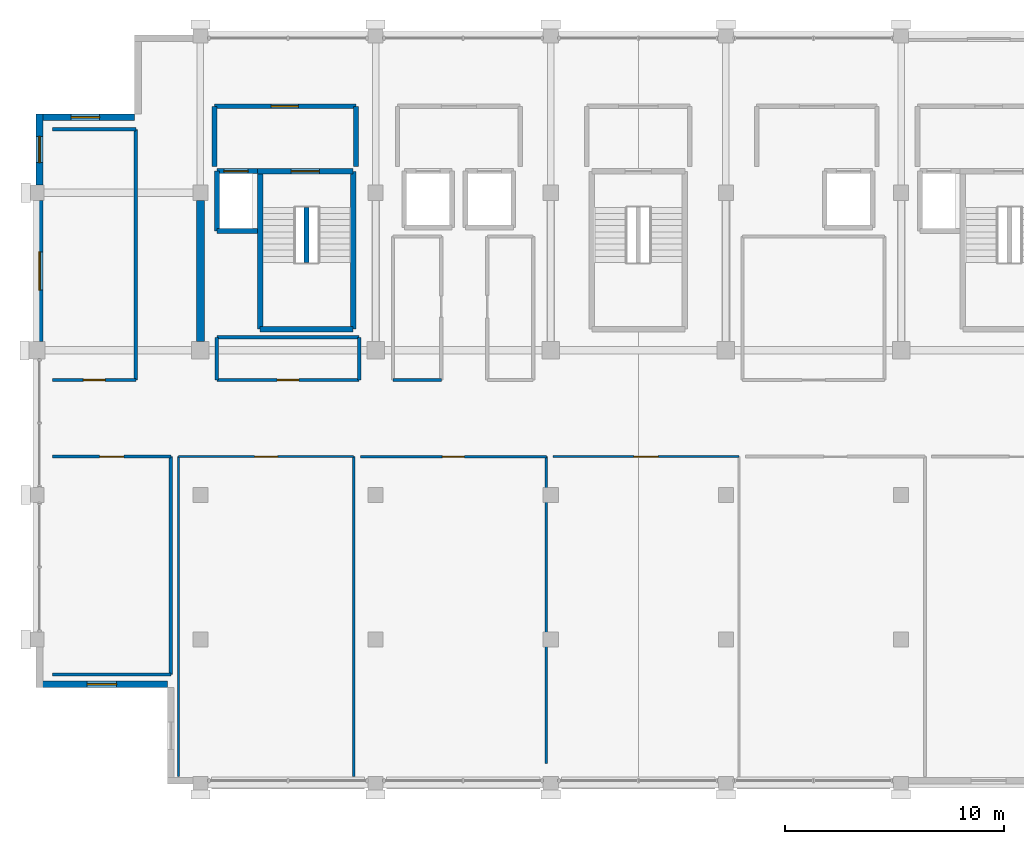
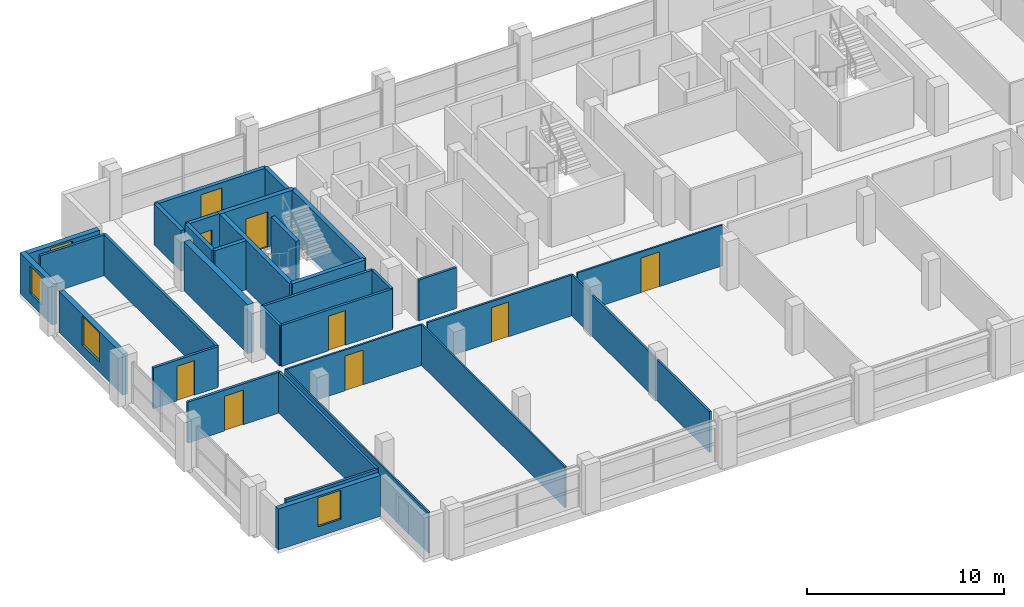
# One storey, part 20 of 24: 33 walls, 9 doors, 4 windows, 13 openings.
"""IFC4 building model written with IfcOpenShell, lengths in metres."""

from ifc_helpers import new_model, si_unit, direction, frame, frame_2d, origin, place, context, subcontext, project, spatial, rectangle, extrude, material, layer, layer_set, type_object, element, fill, save


model = new_model("IFC4")

# Units and contexts
model_context = context("Model", 3, precision=1e-05, world=origin(), true_north=direction((0.0, 1.0)))
body_context = subcontext(model_context, "Body", "Model", "MODEL_VIEW")
ifc_project = project(units=[si_unit("LENGTHUNIT", "METRE"), si_unit("AREAUNIT", "SQUARE_METRE"), si_unit("VOLUMEUNIT", "CUBIC_METRE"), si_unit("PLANEANGLEUNIT", "RADIAN"), si_unit("MASSUNIT", "GRAM", prefix="KILO")], contexts=[model_context])

# Site, building, storey
site_placement = place(None, origin())
site = spatial("IfcSite", under=ifc_project, at=site_placement, CompositionType="ELEMENT")
building_placement = place(site_placement, origin())
building = spatial("IfcBuilding", under=site, at=building_placement, Name="Akrevak Sports Hall", CompositionType="ELEMENT")
storey_placement = place(building_placement, frame((0.0, 0.0, 56.800048828125)))
storey = spatial("IfcBuildingStorey", under=building, at=storey_placement, Name="L14", CompositionType="ELEMENT", Elevation=56.800048828125)

# Wall, opening, window
ifc_material_1 = material(Name="Limestone Ashlar", Category="stone")
ifc_layer_1 = layer(ifc_material_1, 0.06005859375, Name="Limestone Ashlar")
ifc_material_2 = material(Name="Mineral Wool Thermal Insulation", Category="insulation")
ifc_layer_2 = layer(ifc_material_2, 0.090087890625, Name="Mineral Wool Thermal Insulation")
ifc_material_3 = material(Name="Concrete C40/50", Category="concrete")
ifc_layer_3 = layer(ifc_material_3, 0.14990234375, Name="Concrete C40/50")
ifc_layer_set_1 = layer_set([ifc_layer_1, ifc_layer_2, ifc_layer_3], Name="Limestone Ashlar / Mineral Wool Thermal Insulation / Concrete C40/50")
wall_type_1 = type_object("IfcWallType", Name="ARC-WL-EXT-300", PredefinedType="SOLIDWALL", material=ifc_layer_set_1)
wall_1_placement = place(storey_placement, frame((57.0, 65.85009765625, 0.0), z_axis=(0.0, 0.0, 1.0), x_axis=(-1.0, 0.0, 0.0)))
wall_1 = element("IfcWall", 1, at=wall_1_placement, inside=storey, type_object=wall_type_1, Name="Tower Stone Facade Wall L14-N25", PredefinedType="SOLIDWALL", context=body_context, shape_type="SweptSolid", body=[
    extrude(rectangle(XDim=4.5, YDim=0.300048828125, at=frame_2d((2.25, 0.0))), origin(), (0.0, 0.0, 1.0), 2.530029296875),
])
opening_1_placement = place(wall_1_placement, frame((1.60009765625, 0.0, 0.6201171875)))
opening_1 = element("IfcOpeningElement", 2, at=opening_1_placement, cuts=wall_1, Name="Opening WN-12", PredefinedType="OPENING", context=body_context, shape_type="SweptSolid", body=[
    extrude(rectangle(XDim=1.300048828125, YDim=1.800048828125, at=frame_2d((0.64990234375, 0.89990234375))), frame((0.0, 0.162109375, 0.0), z_axis=(0.0, -1.0, 0.0), x_axis=(1.0, 0.0, 0.0)), (0.0, 0.0, 1.0), 0.323974609375),
])
ifc_material_4 = material(Name="Thermally Broken Bronze Frame & Double Low-E Glass", Category="glass")
window_type_1 = type_object("IfcWindowType", Name="ARC-WIN-TW-130x180", PartitioningType="SINGLE_PANEL", PredefinedType="WINDOW", material=ifc_material_4)
window_1_placement = place(opening_1_placement, origin())
window_1 = element("IfcWindow", 3, at=window_1_placement, inside=storey, type_object=window_type_1, Name="Tower Window L14-N25", OverallHeight=1.800048828125, OverallWidth=1.300048828125, PartitioningType="SINGLE_PANEL", PredefinedType="WINDOW", context=body_context, shape_type="SweptSolid", body=[
    extrude(rectangle(XDim=1.300048828125, YDim=1.800048828125, at=frame_2d((0.64990234375, 0.89990234375))), frame((0.0, 0.030029296875, 0.0), z_axis=(0.0, -1.0, 0.0), x_axis=(1.0, 0.0, 0.0)), (0.0, 0.0, 1.0), 0.06005859375),
])
fill(opening_1, window_1)

wall_2_placement = place(storey_placement, frame((52.64990234375, 66.0, 0.0), z_axis=(0.0, 0.0, 1.0), x_axis=(0.0, -1.0, 0.0)))
wall_2 = element("IfcWall", 4, at=wall_2_placement, inside=storey, type_object=wall_type_1, Name="Tower Stone Facade Wall L14-W26", PredefinedType="SOLIDWALL", context=body_context, shape_type="SweptSolid", body=[
    extrude(rectangle(XDim=3.25, YDim=0.300048828125, at=frame_2d((1.625, 0.0))), origin(), (0.0, 0.0, 1.0), 2.530029296875),
])
opening_2_placement = place(wall_2_placement, frame((1.02490234375, 0.0, 0.6201171875)))
opening_2 = element("IfcOpeningElement", 5, at=opening_2_placement, cuts=wall_2, Name="Opening WN-13", PredefinedType="OPENING", context=body_context, shape_type="SweptSolid", body=[
    extrude(rectangle(XDim=1.199951171875, YDim=1.699951171875, at=frame_2d((0.60009765625, 0.85009765625))), frame((0.0, 0.162109375, 0.0), z_axis=(0.0, -1.0, 0.0), x_axis=(1.0, 0.0, 0.0)), (0.0, 0.0, 1.0), 0.323974609375),
])
window_type_2 = type_object("IfcWindowType", Name="ARC-WIN-TW-120x170", PartitioningType="SINGLE_PANEL", PredefinedType="WINDOW", material=ifc_material_4)
window_2_placement = place(opening_2_placement, origin())
window_2 = element("IfcWindow", 6, at=window_2_placement, inside=storey, type_object=window_type_2, Name="Tower Window L14-W26", OverallHeight=1.699951171875, OverallWidth=1.199951171875, PartitioningType="SINGLE_PANEL", PredefinedType="WINDOW", context=body_context, shape_type="SweptSolid", body=[
    extrude(rectangle(XDim=1.199951171875, YDim=1.699951171875, at=frame_2d((0.60009765625, 0.85009765625))), frame((0.0, 0.030029296875, 0.0), z_axis=(0.0, -1.0, 0.0), x_axis=(1.0, 0.0, 0.0)), (0.0, 0.0, 1.0), 0.06005859375),
])
fill(opening_2, window_2)

wall_3_placement = place(storey_placement, frame((52.64990234375, 62.050048828125, 0.0), z_axis=(0.0, 0.0, 1.0), x_axis=(0.0, -1.0, 0.0)))
wall_3 = element("IfcWall", 7, at=wall_3_placement, inside=storey, type_object=wall_type_1, Name="Tower Stone Facade Wall L14-W27", PredefinedType="SOLIDWALL", context=body_context, shape_type="SweptSolid", body=[
    extrude(rectangle(XDim=6.449951171875, YDim=0.300048828125, at=frame_2d((3.22509765625, 0.0))), origin(), (0.0, 0.0, 1.0), 2.530029296875),
])
opening_3_placement = place(wall_3_placement, frame((2.35009765625, 0.0, 0.6201171875)))
opening_3 = element("IfcOpeningElement", 8, at=opening_3_placement, cuts=wall_3, Name="Opening WN-56", PredefinedType="OPENING", context=body_context, shape_type="SweptSolid", body=[
    extrude(rectangle(XDim=1.75, YDim=1.81005859375, at=frame_2d((0.875, 0.905029296875))), frame((0.0, 0.162109375, 0.0), z_axis=(0.0, -1.0, 0.0), x_axis=(1.0, 0.0, 0.0)), (0.0, 0.0, 1.0), 0.323974609375),
])
window_type_3 = type_object("IfcWindowType", Name="ARC-WIN-SZ-1750x1810", PartitioningType="SINGLE_PANEL", PredefinedType="WINDOW", material=ifc_material_4)
window_3_placement = place(opening_3_placement, origin())
window_3 = element("IfcWindow", 9, at=window_3_placement, inside=storey, type_object=window_type_3, Name="Tower Window L14-W27", OverallHeight=1.81005859375, OverallWidth=1.75, PartitioningType="SINGLE_PANEL", PredefinedType="WINDOW", context=body_context, shape_type="SweptSolid", body=[
    extrude(rectangle(XDim=1.75, YDim=1.81005859375, at=frame_2d((0.875, 0.905029296875))), frame((0.0, 0.030029296875, 0.0), z_axis=(0.0, -1.0, 0.0), x_axis=(1.0, 0.0, 0.0)), (0.0, 0.0, 1.0), 0.06005859375),
])
fill(opening_3, window_3)

wall_4_placement = place(storey_placement, frame((52.5, 39.949951171875, 0.0), z_axis=(0.0, 0.0, 1.0), x_axis=(1.0, 0.0, 0.0)))
wall_4 = element("IfcWall", 10, at=wall_4_placement, inside=storey, type_object=wall_type_1, Name="Tower Stone Facade Wall L14-S31", PredefinedType="SOLIDWALL", context=body_context, shape_type="SweptSolid", body=[
    extrude(rectangle(XDim=6.0, YDim=0.300048828125, at=frame_2d((3.0, 0.0))), origin(), (0.0, 0.0, 1.0), 2.530029296875),
])
opening_4_placement = place(wall_4_placement, frame((2.324951171875, 0.0, 0.6201171875)))
opening_4 = element("IfcOpeningElement", 11, at=opening_4_placement, cuts=wall_4, Name="Opening WN-19", PredefinedType="OPENING", context=body_context, shape_type="SweptSolid", body=[
    extrude(rectangle(XDim=1.35009765625, YDim=1.800048828125, at=frame_2d((0.675048828125, 0.89990234375))), frame((0.0, 0.162109375, 0.0), z_axis=(0.0, -1.0, 0.0), x_axis=(1.0, 0.0, 0.0)), (0.0, 0.0, 1.0), 0.323974609375),
])
window_type_4 = type_object("IfcWindowType", Name="ARC-WIN-TW-135x180", PartitioningType="SINGLE_PANEL", PredefinedType="WINDOW", material=ifc_material_4)
window_4_placement = place(opening_4_placement, origin())
window_4 = element("IfcWindow", 12, at=window_4_placement, inside=storey, type_object=window_type_4, Name="Tower Window L14-S31", OverallHeight=1.800048828125, OverallWidth=1.35009765625, PartitioningType="SINGLE_PANEL", PredefinedType="WINDOW", context=body_context, shape_type="SweptSolid", body=[
    extrude(rectangle(XDim=1.35009765625, YDim=1.800048828125, at=frame_2d((0.675048828125, 0.89990234375))), frame((0.0, 0.030029296875, 0.0), z_axis=(0.0, -1.0, 0.0), x_axis=(1.0, 0.0, 0.0)), (0.0, 0.0, 1.0), 0.06005859375),
])
fill(opening_4, window_4)

# Wall, opening, door
ifc_material_5 = material(Name="Sanitary Cubicle Partition", Category="gypsum")
ifc_layer_4 = layer(ifc_material_5, 0.10009765625, Name="Sanitary Cubicle Partition")
ifc_layer_set_2 = layer_set([ifc_layer_4], Name="Sanitary Cubicle Partition")
wall_type_2 = type_object("IfcWallType", Name="ARC-WL-PRT-100", PredefinedType="PARTITIONING", material=ifc_layer_set_2)
wall_5_placement = place(storey_placement, frame((59.0, 50.35009765625, 0.0), z_axis=(0.0, 0.0, 1.0), x_axis=(1.0, 0.0, 0.0)))
wall_5 = element("IfcWall", 13, at=wall_5_placement, inside=storey, type_object=wall_type_2, Name="Interior Partition Regional Athletics Directorate 1 (L14) (N)", PredefinedType="PARTITIONING", context=body_context, shape_type="SweptSolid", body=[
    extrude(rectangle(XDim=8.0, YDim=0.10009765625, at=frame_2d((4.0, 0.0))), origin(), (0.0, 0.0, 1.0), 2.530029296875),
])
opening_5_placement = place(wall_5_placement, frame((3.47509765625, 0.0, 0.0)))
opening_5 = element("IfcOpeningElement", 14, at=opening_5_placement, cuts=wall_5, Name="Opening ID-05", PredefinedType="OPENING", context=body_context, shape_type="SweptSolid", body=[
    extrude(rectangle(XDim=1.050048828125, YDim=2.14990234375, at=frame_2d((0.52490234375, 1.074951171875))), frame((0.0, 0.06201171875, 0.0), z_axis=(0.0, -1.0, 0.0), x_axis=(1.0, 0.0, 0.0)), (0.0, 0.0, 1.0), 0.1240234375),
])
ifc_material_6 = material(Name="Hardwood Oak Acoustic Leaf", Category="wood")
door_type_1 = type_object("IfcDoorType", Name="ARC-DR-OFF-105x215", OperationType="NOTDEFINED", PredefinedType="DOOR", material=ifc_material_6)
door_1_placement = place(opening_5_placement, origin())
door_1 = element("IfcDoor", 15, at=door_1_placement, inside=storey, type_object=door_type_1, Name="Door to Regional Athletics Directorate 1 (L14)", OperationType="SINGLE_SWING_LEFT", OverallHeight=2.14990234375, OverallWidth=1.050048828125, PredefinedType="DOOR", context=body_context, shape_type="SweptSolid", body=[
    extrude(rectangle(XDim=1.050048828125, YDim=2.14990234375, at=frame_2d((0.52490234375, 1.074951171875))), frame((0.0, 0.02490234375, 0.0), z_axis=(0.0, -1.0, 0.0), x_axis=(1.0, 0.0, 0.0)), (0.0, 0.0, 1.0), 0.050048828125),
])
fill(opening_5, door_1)

# Walls
for number, where, z_axis, x_axis, name in (
    (16, (59.0, 35.75, 0.0), (0.0, 0.0, 1.0), (0.0, 1.0, 0.0), "Interior Partition Regional Athletics Directorate 1 (L14) (W)"),
    (17, (67.0, 35.75, 0.0), (0.0, 0.0, 1.0), (0.0, 1.0, 0.0), "Interior Partition Regional Athletics Directorate 1 (L14) (E)"),
):
    element("IfcWall", number, at=place(storey_placement, frame(where, z_axis=z_axis, x_axis=x_axis)), inside=storey, type_object=wall_type_2, Name=name, PredefinedType="PARTITIONING", context=body_context, shape_type="SweptSolid", body=[
        extrude(rectangle(XDim=14.60009765625, YDim=0.10009765625, at=frame_2d((7.300048828125, 0.0))), origin(), (0.0, 0.0, 1.0), 2.530029296875),
    ])

# Wall, opening, door
wall_6_placement = place(storey_placement, frame((76.10009765625, 50.35009765625, 0.0), z_axis=(0.0, 0.0, 1.0), x_axis=(1.0, 0.0, 0.0)))
wall_6 = element("IfcWall", 18, at=wall_6_placement, inside=storey, type_object=wall_type_2, Name="Interior Partition Youth Sports Development Academy (L14) (N)", PredefinedType="PARTITIONING", context=body_context, shape_type="SweptSolid", body=[
    extrude(rectangle(XDim=8.5, YDim=0.10009765625, at=frame_2d((4.25, 0.0))), origin(), (0.0, 0.0, 1.0), 2.530029296875),
])
opening_6_placement = place(wall_6_placement, frame((3.699951171875, 0.0, 0.0)))
opening_6 = element("IfcOpeningElement", 19, at=opening_6_placement, cuts=wall_6, Name="Opening ID-04", PredefinedType="OPENING", context=body_context, shape_type="SweptSolid", body=[
    extrude(rectangle(XDim=1.10009765625, YDim=2.14990234375, at=frame_2d((0.550048828125, 1.074951171875))), frame((0.0, 0.06201171875, 0.0), z_axis=(0.0, -1.0, 0.0), x_axis=(1.0, 0.0, 0.0)), (0.0, 0.0, 1.0), 0.1240234375),
])
door_type_2 = type_object("IfcDoorType", Name="ARC-DR-OFF-110x215", OperationType="NOTDEFINED", PredefinedType="DOOR", material=ifc_material_6)
door_2_placement = place(opening_6_placement, origin())
door_2 = element("IfcDoor", 20, at=door_2_placement, inside=storey, type_object=door_type_2, Name="Door to Youth Sports Development Academy (L14)", OperationType="SINGLE_SWING_LEFT", OverallHeight=2.14990234375, OverallWidth=1.10009765625, PredefinedType="DOOR", context=body_context, shape_type="SweptSolid", body=[
    extrude(rectangle(XDim=1.10009765625, YDim=2.14990234375, at=frame_2d((0.550048828125, 1.074951171875))), frame((0.0, 0.02490234375, 0.0), z_axis=(0.0, -1.0, 0.0), x_axis=(1.0, 0.0, 0.0)), (0.0, 0.0, 1.0), 0.050048828125),
])
fill(opening_6, door_2)

ifc_material_7 = material(Name="Standard Metal Stud Partition", Category="gypsum")
ifc_layer_5 = layer(ifc_material_7, 0.1201171875, Name="Standard Metal Stud Partition")
ifc_layer_set_3 = layer_set([ifc_layer_5], Name="Standard Metal Stud Partition")
wall_type_3 = type_object("IfcWallType", Name="ARC-WL-PRT-120", PredefinedType="PARTITIONING", material=ifc_layer_set_3)
wall_7_placement = place(storey_placement, frame((67.300048828125, 50.35009765625, 0.0), z_axis=(0.0, 0.0, 1.0), x_axis=(1.0, 0.0, 0.0)))
wall_7 = element("IfcWall", 21, at=wall_7_placement, inside=storey, type_object=wall_type_3, Name="Interior Partition Regional Athletics Directorate 2 (L14) (N)", PredefinedType="PARTITIONING", context=body_context, shape_type="SweptSolid", body=[
    extrude(rectangle(XDim=8.5, YDim=0.1201171875, at=frame_2d((4.25, 0.0))), origin(), (0.0, 0.0, 1.0), 2.530029296875),
])
opening_7_placement = place(wall_7_placement, frame((3.75, 0.0, 0.0)))
opening_7 = element("IfcOpeningElement", 22, at=opening_7_placement, cuts=wall_7, Name="Opening ID-06", PredefinedType="OPENING", context=body_context, shape_type="SweptSolid", body=[
    extrude(rectangle(XDim=1.0, YDim=2.14990234375, at=frame_2d((0.5, 1.074951171875))), frame((0.0, 0.072021484375, 0.0), z_axis=(0.0, -1.0, 0.0), x_axis=(1.0, 0.0, 0.0)), (0.0, 0.0, 1.0), 0.14404296875),
])
door_type_3 = type_object("IfcDoorType", Name="ARC-DR-OFF-100x215", OperationType="NOTDEFINED", PredefinedType="DOOR", material=ifc_material_6)
door_3_placement = place(opening_7_placement, frame((1.0, 0.0, 0.0), z_axis=(0.0, 0.0, 1.0), x_axis=(-1.0, 0.0, 0.0)))
door_3 = element("IfcDoor", 23, at=door_3_placement, inside=storey, type_object=door_type_3, Name="Door to Regional Athletics Directorate 2 (L14)", OperationType="SINGLE_SWING_RIGHT", OverallHeight=2.14990234375, OverallWidth=1.0, PredefinedType="DOOR", context=body_context, shape_type="SweptSolid", body=[
    extrude(rectangle(XDim=1.0, YDim=2.14990234375, at=frame_2d((0.5, 1.074951171875))), frame((0.0, 0.02490234375, 0.0), z_axis=(0.0, -1.0, 0.0), x_axis=(1.0, 0.0, 0.0)), (0.0, 0.0, 1.0), 0.050048828125),
])
fill(opening_7, door_3)

# Walls
wall_8_placement = place(storey_placement, frame((75.800048828125, 36.330078125, 0.0), z_axis=(0.0, 0.0, 1.0), x_axis=(0.0, 1.0, 0.0)))
element("IfcWall", 24, at=wall_8_placement, inside=storey, type_object=wall_type_3, Name="Interior Partition Regional Athletics Directorate 2 (L14) (E)", PredefinedType="PARTITIONING", context=body_context, shape_type="SweptSolid", body=[
    extrude(rectangle(XDim=14.02001953125, YDim=0.1201171875, at=frame_2d((7.010009765625, 0.0))), origin(), (0.0, 0.0, 1.0), 2.530029296875),
])
ifc_material_8 = material(Name="Moisture-Resistant Wet-Area Partition", Category="gypsum")
ifc_layer_6 = layer(ifc_material_8, 0.139892578125, Name="Moisture-Resistant Wet-Area Partition")
ifc_layer_set_4 = layer_set([ifc_layer_6], Name="Moisture-Resistant Wet-Area Partition")
wall_type_4 = type_object("IfcWallType", Name="ARC-WL-PRT-140", PredefinedType="PARTITIONING", material=ifc_layer_set_4)
wall_9_placement = place(storey_placement, frame((68.800048828125, 53.85009765625, 0.0), z_axis=(0.0, 0.0, 1.0), x_axis=(1.0, 0.0, 0.0)))
element("IfcWall", 25, at=wall_9_placement, inside=storey, type_object=wall_type_4, Name="Interior Partition Staff WC L14 (S)", PredefinedType="PARTITIONING", context=body_context, shape_type="SweptSolid", body=[
    extrude(rectangle(XDim=2.199951171875, YDim=0.139892578125, at=frame_2d((1.10009765625, 0.0))), origin(), (0.0, 0.0, 1.0), 2.530029296875),
])
ifc_material_9 = material(Name="Double Stud Acoustic Gypsum Partition", Category="gypsum")
ifc_layer_7 = layer(ifc_material_9, 0.14990234375, Name="Double Stud Acoustic Gypsum Partition")
ifc_layer_set_5 = layer_set([ifc_layer_7], Name="Double Stud Acoustic Gypsum Partition")
wall_type_5 = type_object("IfcWallType", Name="ARC-WL-PRT-150", PredefinedType="PARTITIONING", material=ifc_layer_set_5)
wall_10_placement = place(storey_placement, frame((53.25, 40.39990234375, 0.0), z_axis=(0.0, 0.0, 1.0), x_axis=(1.0, 0.0, 0.0)))
element("IfcWall", 26, at=wall_10_placement, inside=storey, type_object=wall_type_5, Name="Interior Partition Federation Legal Counsel Office West (L14) (S)", PredefinedType="PARTITIONING", context=body_context, shape_type="SweptSolid", body=[
    extrude(rectangle(XDim=5.39990234375, YDim=0.14990234375, at=frame_2d((2.699951171875, 0.0))), origin(), (0.0, 0.0, 1.0), 2.530029296875),
])

# Wall, opening, door
wall_11_placement = place(storey_placement, frame((53.25, 50.35009765625, 0.0), z_axis=(0.0, 0.0, 1.0), x_axis=(1.0, 0.0, 0.0)))
wall_11 = element("IfcWall", 27, at=wall_11_placement, inside=storey, type_object=wall_type_5, Name="Interior Partition Federation Legal Counsel Office West (L14) (N)", PredefinedType="PARTITIONING", context=body_context, shape_type="SweptSolid", body=[
    extrude(rectangle(XDim=5.39990234375, YDim=0.14990234375, at=frame_2d((2.699951171875, 0.0))), origin(), (0.0, 0.0, 1.0), 2.530029296875),
])
opening_8_placement = place(wall_11_placement, frame((2.14990234375, 0.0, 0.0)))
opening_8 = element("IfcOpeningElement", 28, at=opening_8_placement, cuts=wall_11, Name="Opening ID-04", PredefinedType="OPENING", context=body_context, shape_type="SweptSolid", body=[
    extrude(rectangle(XDim=1.10009765625, YDim=2.14990234375, at=frame_2d((0.550048828125, 1.074951171875))), frame((0.0, 0.0869140625, 0.0), z_axis=(0.0, -1.0, 0.0), x_axis=(1.0, 0.0, 0.0)), (0.0, 0.0, 1.0), 0.173828125),
])
door_4_placement = place(opening_8_placement, frame((1.10009765625, 0.0, 0.0), z_axis=(0.0, 0.0, 1.0), x_axis=(-1.0, 0.0, 0.0)))
door_4 = element("IfcDoor", 29, at=door_4_placement, inside=storey, type_object=door_type_2, Name="Door to Federation Legal Counsel Office West (L14)", OperationType="SINGLE_SWING_RIGHT", OverallHeight=2.14990234375, OverallWidth=1.10009765625, PredefinedType="DOOR", context=body_context, shape_type="SweptSolid", body=[
    extrude(rectangle(XDim=1.10009765625, YDim=2.14990234375, at=frame_2d((0.550048828125, 1.074951171875))), frame((0.0, 0.02490234375, 0.0), z_axis=(0.0, -1.0, 0.0), x_axis=(1.0, 0.0, 0.0)), (0.0, 0.0, 1.0), 0.050048828125),
])
fill(opening_8, door_4)

# Wall
wall_12_placement = place(storey_placement, frame((58.64990234375, 40.39990234375, 0.0), z_axis=(0.0, 0.0, 1.0), x_axis=(0.0, 1.0, 0.0)))
element("IfcWall", 30, at=wall_12_placement, inside=storey, type_object=wall_type_5, Name="Interior Partition Federation Legal Counsel Office West (L14) (E)", PredefinedType="PARTITIONING", context=body_context, shape_type="SweptSolid", body=[
    extrude(rectangle(XDim=9.9501953125, YDim=0.14990234375, at=frame_2d((4.97509765625, 0.0))), origin(), (0.0, 0.0, 1.0), 2.530029296875),
])

# Wall, opening, door
wall_13_placement = place(storey_placement, frame((53.25, 53.85009765625, 0.0), z_axis=(0.0, 0.0, 1.0), x_axis=(1.0, 0.0, 0.0)))
wall_13 = element("IfcWall", 31, at=wall_13_placement, inside=storey, type_object=wall_type_5, Name="Interior Partition Federation Records Office West (L14) (S)", PredefinedType="PARTITIONING", context=body_context, shape_type="SweptSolid", body=[
    extrude(rectangle(XDim=3.800048828125, YDim=0.14990234375, at=frame_2d((1.89990234375, 0.0))), origin(), (0.0, 0.0, 1.0), 2.530029296875),
])
opening_9_placement = place(wall_13_placement, frame((1.39990234375, 0.0, 0.0)))
opening_9 = element("IfcOpeningElement", 32, at=opening_9_placement, cuts=wall_13, Name="Opening ID-06", PredefinedType="OPENING", context=body_context, shape_type="SweptSolid", body=[
    extrude(rectangle(XDim=1.0, YDim=2.14990234375, at=frame_2d((0.5, 1.074951171875))), frame((0.0, 0.0869140625, 0.0), z_axis=(0.0, -1.0, 0.0), x_axis=(1.0, 0.0, 0.0)), (0.0, 0.0, 1.0), 0.173828125),
])
door_5_placement = place(opening_9_placement, frame((1.0, 0.0, 0.0), z_axis=(0.0, 0.0, 1.0), x_axis=(-1.0, 0.0, 0.0)))
door_5 = element("IfcDoor", 33, at=door_5_placement, inside=storey, type_object=door_type_3, Name="Door to Federation Records Office West (L14)", OperationType="SINGLE_SWING_RIGHT", OverallHeight=2.14990234375, OverallWidth=1.0, PredefinedType="DOOR", context=body_context, shape_type="SweptSolid", body=[
    extrude(rectangle(XDim=1.0, YDim=2.14990234375, at=frame_2d((0.5, 1.074951171875))), frame((0.0, 0.02490234375, 0.0), z_axis=(0.0, -1.0, 0.0), x_axis=(1.0, 0.0, 0.0)), (0.0, 0.0, 1.0), 0.050048828125),
])
fill(opening_9, door_5)

# Walls
wall_14_placement = place(storey_placement, frame((53.25, 65.300048828125, 0.0), z_axis=(0.0, 0.0, 1.0), x_axis=(1.0, 0.0, 0.0)))
element("IfcWall", 34, at=wall_14_placement, inside=storey, type_object=wall_type_5, Name="Interior Partition Federation Records Office West (L14) (N)", PredefinedType="PARTITIONING", context=body_context, shape_type="SweptSolid", body=[
    extrude(rectangle(XDim=3.800048828125, YDim=0.14990234375, at=frame_2d((1.89990234375, 0.0))), origin(), (0.0, 0.0, 1.0), 2.530029296875),
])
wall_15_placement = place(storey_placement, frame((57.050048828125, 53.85009765625, 0.0), z_axis=(0.0, 0.0, 1.0), x_axis=(0.0, 1.0, 0.0)))
element("IfcWall", 35, at=wall_15_placement, inside=storey, type_object=wall_type_5, Name="Interior Partition Federation Records Office West (L14) (E)", PredefinedType="PARTITIONING", context=body_context, shape_type="SweptSolid", body=[
    extrude(rectangle(XDim=11.449951171875, YDim=0.14990234375, at=frame_2d((5.72509765625, 0.0))), origin(), (0.0, 0.0, 1.0), 2.530029296875),
])

# Wall, opening, door
wall_16_placement = place(storey_placement, frame((60.75, 53.85009765625, 0.0), z_axis=(0.0, 0.0, 1.0), x_axis=(1.0, 0.0, 0.0)))
wall_16 = element("IfcWall", 36, at=wall_16_placement, inside=storey, type_object=wall_type_5, Name="Interior Partition Federation Technical Office West (L14) (S)", PredefinedType="PARTITIONING", context=body_context, shape_type="SweptSolid", body=[
    extrude(rectangle(XDim=6.5, YDim=0.14990234375, at=frame_2d((3.25, 0.0))), origin(), (0.0, 0.0, 1.0), 2.530029296875),
])
opening_10_placement = place(wall_16_placement, frame((2.75, 0.0, 0.0)))
opening_10 = element("IfcOpeningElement", 37, at=opening_10_placement, cuts=wall_16, Name="Opening ID-06", PredefinedType="OPENING", context=body_context, shape_type="SweptSolid", body=[
    extrude(rectangle(XDim=1.0, YDim=2.14990234375, at=frame_2d((0.5, 1.074951171875))), frame((0.0, 0.0869140625, 0.0), z_axis=(0.0, -1.0, 0.0), x_axis=(1.0, 0.0, 0.0)), (0.0, 0.0, 1.0), 0.173828125),
])
door_6_placement = place(opening_10_placement, origin())
door_6 = element("IfcDoor", 38, at=door_6_placement, inside=storey, type_object=door_type_3, Name="Door to Federation Technical Office West (L14)", OperationType="SINGLE_SWING_LEFT", OverallHeight=2.14990234375, OverallWidth=1.0, PredefinedType="DOOR", context=body_context, shape_type="SweptSolid", body=[
    extrude(rectangle(XDim=1.0, YDim=2.14990234375, at=frame_2d((0.5, 1.074951171875))), frame((0.0, 0.02490234375, 0.0), z_axis=(0.0, -1.0, 0.0), x_axis=(1.0, 0.0, 0.0)), (0.0, 0.0, 1.0), 0.050048828125),
])
fill(opening_10, door_6)

# Walls
wall_17_placement = place(storey_placement, frame((60.75, 55.800048828125, 0.0), z_axis=(0.0, 0.0, 1.0), x_axis=(1.0, 0.0, 0.0)))
element("IfcWall", 39, at=wall_17_placement, inside=storey, type_object=wall_type_5, Name="Interior Partition Federation Technical Office West (L14) (N)", PredefinedType="PARTITIONING", context=body_context, shape_type="SweptSolid", body=[
    extrude(rectangle(XDim=6.5, YDim=0.14990234375, at=frame_2d((3.25, 0.0))), origin(), (0.0, 0.0, 1.0), 2.530029296875),
])
for number, where, z_axis, x_axis, name in (
    (40, (60.75, 53.85009765625, 0.0), (0.0, 0.0, 1.0), (0.0, 1.0, 0.0), "Interior Partition Federation Technical Office West (L14) (W)"),
    (41, (67.25, 53.85009765625, 0.0), (0.0, 0.0, 1.0), (0.0, 1.0, 0.0), "Interior Partition Federation Technical Office West (L14) (E)"),
):
    element("IfcWall", number, at=place(storey_placement, frame(where, z_axis=z_axis, x_axis=x_axis)), inside=storey, type_object=wall_type_5, Name=name, PredefinedType="PARTITIONING", context=body_context, shape_type="SweptSolid", body=[
        extrude(rectangle(XDim=1.949951171875, YDim=0.14990234375, at=frame_2d((0.97509765625, 0.0))), origin(), (0.0, 0.0, 1.0), 2.530029296875),
    ])
ifc_layer_8 = layer(ifc_material_3, 0.219970703125, Name="Concrete C40/50")
ifc_layer_set_6 = layer_set([ifc_layer_8], Name="Concrete C40/50")
wall_type_6 = type_object("IfcWallType", Name="ARC-WL-PRT-220", PredefinedType="PARTITIONING", material=ifc_layer_set_6)
wall_18_placement = place(storey_placement, frame((64.85009765625, 59.215087890625, 0.0), z_axis=(0.0, 0.0, 1.0), x_axis=(0.0, 1.0, 0.0)))
element("IfcWall", 42, at=wall_18_placement, inside=storey, type_object=wall_type_6, Name="Stair ST1 Central Spine Wall (L14)", PredefinedType="PARTITIONING", context=body_context, shape_type="SweptSolid", body=[
    extrude(rectangle(XDim=2.52001953125, YDim=0.219970703125, at=frame_2d((1.260009765625, 0.0))), origin(), (0.0, 0.0, 1.0), 3.0400390625),
])

# Wall, opening, door
wall_19_placement = place(storey_placement, frame((60.64990234375, 66.35009765625, 0.0), z_axis=(0.0, 0.0, 1.0), x_axis=(1.0, 0.0, 0.0)))
wall_19 = element("IfcWall", 43, at=wall_19_placement, inside=storey, type_object=wall_type_6, Name="Interior Partition Firefighting Lobby West L14 (N)", PredefinedType="PARTITIONING", context=body_context, shape_type="SweptSolid", body=[
    extrude(rectangle(XDim=6.4501953125, YDim=0.219970703125, at=frame_2d((3.22509765625, 0.0))), origin(), (0.0, 0.0, 1.0), 2.530029296875),
])
opening_11_placement = place(wall_19_placement, frame((2.574951171875, 0.0, 0.0)))
opening_11 = element("IfcOpeningElement", 44, at=opening_11_placement, cuts=wall_19, Name="Opening FD-01", PredefinedType="OPENING", context=body_context, shape_type="SweptSolid", body=[
    extrude(rectangle(XDim=1.25, YDim=2.199951171875, at=frame_2d((0.625, 1.10009765625))), frame((0.0, 0.1220703125, 0.0), z_axis=(0.0, -1.0, 0.0), x_axis=(1.0, 0.0, 0.0)), (0.0, 0.0, 1.0), 0.243896484375),
])
ifc_material_10 = material(Name="Fire-Rated Galvanized Door Steel", Category="steel")
door_type_4 = type_object("IfcDoorType", Name="ARC-DR-FFL-125x220", OperationType="NOTDEFINED", PredefinedType="DOOR", material=ifc_material_10)
door_7_placement = place(opening_11_placement, frame((1.25, 0.0, 0.0), z_axis=(0.0, 0.0, 1.0), x_axis=(-1.0, 0.0, 0.0)))
door_7 = element("IfcDoor", 45, at=door_7_placement, inside=storey, type_object=door_type_4, Name="Door to Firefighting Lobby West L14", OperationType="SINGLE_SWING_LEFT", OverallHeight=2.199951171875, OverallWidth=1.25, PredefinedType="DOOR", context=body_context, shape_type="SweptSolid", body=[
    extrude(rectangle(XDim=1.25, YDim=2.199951171875, at=frame_2d((0.625, 1.10009765625))), frame((0.0, 0.02490234375, 0.0), z_axis=(0.0, -1.0, 0.0), x_axis=(1.0, 0.0, 0.0)), (0.0, 0.0, 1.0), 0.050048828125),
])
fill(opening_11, door_7)

# Walls
for number, where, z_axis, x_axis, name in (
    (46, (60.64990234375, 63.60009765625, 0.0), (0.0, 0.0, 1.0), (0.0, 1.0, 0.0), "Interior Partition Firefighting Lobby West L14 (W)"),
    (47, (67.10009765625, 63.60009765625, 0.0), (0.0, 0.0, 1.0), (0.0, 1.0, 0.0), "Interior Partition Firefighting Lobby West L14 (E)"),
):
    element("IfcWall", number, at=place(storey_placement, frame(where, z_axis=z_axis, x_axis=x_axis)), inside=storey, type_object=wall_type_6, Name=name, PredefinedType="PARTITIONING", context=body_context, shape_type="SweptSolid", body=[
        extrude(rectangle(XDim=2.75, YDim=0.219970703125, at=frame_2d((1.375, 0.0))), origin(), (0.0, 0.0, 1.0), 2.530029296875),
    ])
ifc_material_11 = material(Name="Concrete C50/60", Category="concrete")
ifc_layer_9 = layer(ifc_material_11, 0.219970703125, Name="Concrete C50/60")
ifc_layer_set_7 = layer_set([ifc_layer_9], Name="Concrete C50/60")
wall_type_7 = type_object("IfcWallType", Name="ARC-WL-SHAFT-220", PredefinedType="SHEAR", material=ifc_layer_set_7)
wall_20_placement = place(storey_placement, frame((60.760009765625, 60.659912109375, 0.0), z_axis=(0.0, 0.0, 1.0), x_axis=(1.0, 0.0, 0.0)))
element("IfcWall", 48, at=wall_20_placement, inside=storey, type_object=wall_type_7, Name="Lift Shaft LF-FF1 Wall S (L14)", PredefinedType="SHEAR", context=body_context, shape_type="SweptSolid", body=[
    extrude(rectangle(XDim=1.840087890625, YDim=0.219970703125, at=frame_2d((0.919921875, 0.0))), origin(), (0.0, 0.0, 1.0), 3.0400390625),
])

# Wall, opening, door
wall_21_placement = place(storey_placement, frame((62.60009765625, 63.389892578125, 0.0), z_axis=(0.0, 0.0, 1.0), x_axis=(-1.0, 0.0, 0.0)))
wall_21 = element("IfcWall", 49, at=wall_21_placement, inside=storey, type_object=wall_type_7, Name="Lift Shaft LF-FF1 Wall N (L14)", PredefinedType="SHEAR", context=body_context, shape_type="SweptSolid", body=[
    extrude(rectangle(XDim=1.840087890625, YDim=0.219970703125, at=frame_2d((0.919921875, 0.0))), origin(), (0.0, 0.0, 1.0), 3.0400390625),
])
opening_12_placement = place(wall_21_placement, frame((0.425048828125, 0.0, 0.0)))
opening_12 = element("IfcOpeningElement", 50, at=opening_12_placement, cuts=wall_21, Name="Opening LD-01", PredefinedType="OPENING", context=body_context, shape_type="SweptSolid", body=[
    extrude(rectangle(XDim=1.10009765625, YDim=2.199951171875, at=frame_2d((0.550048828125, 1.10009765625))), frame((0.0, 0.1220703125, 0.0), z_axis=(0.0, -1.0, 0.0), x_axis=(1.0, 0.0, 0.0)), (0.0, 0.0, 1.0), 0.243896484375),
])
ifc_material_12 = material(Name="Brushed Stainless Steel 304", Category="steel")
door_type_5 = type_object("IfcDoorType", Name="ARC-DR-LD-110x220", OperationType="SLIDING_TO_LEFT", PredefinedType="DOOR", material=ifc_material_12)
door_8_placement = place(opening_12_placement, origin())
door_8 = element("IfcDoor", 51, at=door_8_placement, inside=storey, type_object=door_type_5, Name="Lift LF-FF1 Sliding Landing Door (L14)", OperationType="SLIDING_TO_LEFT", OverallHeight=2.199951171875, OverallWidth=1.10009765625, PredefinedType="DOOR", context=body_context, shape_type="SweptSolid", body=[
    extrude(rectangle(XDim=1.10009765625, YDim=2.199951171875, at=frame_2d((0.550048828125, 1.10009765625))), frame((0.0, 0.02490234375, 0.0), z_axis=(0.0, -1.0, 0.0), x_axis=(1.0, 0.0, 0.0)), (0.0, 0.0, 1.0), 0.050048828125),
])
fill(opening_12, door_8)

# Walls
wall_22_placement = place(storey_placement, frame((60.760009765625, 63.389892578125, 0.0), z_axis=(0.0, 0.0, 1.0), x_axis=(0.0, -1.0, 0.0)))
element("IfcWall", 52, at=wall_22_placement, inside=storey, type_object=wall_type_7, Name="Lift Shaft LF-FF1 Wall W (L14)", PredefinedType="SHEAR", context=body_context, shape_type="SweptSolid", body=[
    extrude(rectangle(XDim=2.72998046875, YDim=0.219970703125, at=frame_2d((1.364990234375, 0.0))), origin(), (0.0, 0.0, 1.0), 3.0400390625),
])
ifc_layer_10 = layer(ifc_material_11, 0.35009765625, Name="Concrete C50/60")
ifc_layer_set_8 = layer_set([ifc_layer_10], Name="Concrete C50/60")
wall_type_8 = type_object("IfcWallType", Name="STR-WL-CORE-350", PredefinedType="SHEAR", material=ifc_layer_set_8)
wall_23_placement = place(storey_placement, frame((60.0, 55.60009765625, 0.0), z_axis=(0.0, 0.0, 1.0), x_axis=(0.0, 1.0, 0.0)))
element("IfcWall", 53, at=wall_23_placement, inside=storey, type_object=wall_type_8, Name="Reinforced Concrete Shear Wall SW-W2 (L14)", PredefinedType="SHEAR", context=body_context, shape_type="SweptSolid", body=[
    extrude(rectangle(XDim=6.449951171875, YDim=0.35009765625, at=frame_2d((3.22509765625, 0.0))), origin(), (0.0, 0.0, 1.0), 3.0400390625),
])
ifc_layer_11 = layer(ifc_material_11, 0.25, Name="Concrete C50/60")
ifc_layer_set_9 = layer_set([ifc_layer_11], Name="Concrete C50/60")
wall_type_9 = type_object("IfcWallType", Name="STR-WL-STAIR-250", PredefinedType="SHEAR", material=ifc_layer_set_9)
wall_24_placement = place(storey_placement, frame((62.72509765625, 56.175048828125, 0.0), z_axis=(0.0, 0.0, 1.0), x_axis=(1.0, 0.0, 0.0)))
element("IfcWall", 54, at=wall_24_placement, inside=storey, type_object=wall_type_9, Name="Stair Core ST1 Shear Wall S (L14)", PredefinedType="SHEAR", context=body_context, shape_type="SweptSolid", body=[
    extrude(rectangle(XDim=4.25, YDim=0.25, at=frame_2d((2.125, 0.0))), origin(), (0.0, 0.0, 1.0), 3.0400390625),
])

# Wall, opening, door
wall_25_placement = place(storey_placement, frame((66.97509765625, 63.375, 0.0), z_axis=(0.0, 0.0, 1.0), x_axis=(-1.0, 0.0, 0.0)))
wall_25 = element("IfcWall", 55, at=wall_25_placement, inside=storey, type_object=wall_type_9, Name="Stair Core ST1 Shear Wall N (L14)", PredefinedType="SHEAR", context=body_context, shape_type="SweptSolid", body=[
    extrude(rectangle(XDim=4.375, YDim=0.25, at=frame_2d((2.1875, 0.0))), origin(), (0.0, 0.0, 1.0), 3.0400390625),
])
opening_13_placement = place(wall_25_placement, frame((1.53759765625, 0.0, 0.0)))
opening_13 = element("IfcOpeningElement", 56, at=opening_13_placement, cuts=wall_25, Name="Opening SD-01", PredefinedType="OPENING", context=body_context, shape_type="SweptSolid", body=[
    extrude(rectangle(XDim=1.300048828125, YDim=2.199951171875, at=frame_2d((0.64990234375, 1.10009765625))), frame((0.0, 0.136962890625, 0.0), z_axis=(0.0, -1.0, 0.0), x_axis=(1.0, 0.0, 0.0)), (0.0, 0.0, 1.0), 0.27392578125),
])
door_type_6 = type_object("IfcDoorType", Name="ARC-DR-STAIR-130x220", OperationType="NOTDEFINED", PredefinedType="DOOR", material=ifc_material_10)
door_9_placement = place(opening_13_placement, origin())
door_9 = element("IfcDoor", 57, at=door_9_placement, inside=storey, type_object=door_type_6, Name="Exit Stair ST1 Door (L14)", OperationType="SINGLE_SWING_RIGHT", OverallHeight=2.199951171875, OverallWidth=1.300048828125, PredefinedType="DOOR", context=body_context, shape_type="SweptSolid", body=[
    extrude(rectangle(XDim=1.300048828125, YDim=2.199951171875, at=frame_2d((0.64990234375, 1.10009765625))), frame((0.0, 0.02490234375, 0.0), z_axis=(0.0, -1.0, 0.0), x_axis=(1.0, 0.0, 0.0)), (0.0, 0.0, 1.0), 0.050048828125),
])
fill(opening_13, door_9)

# Walls
wall_26_placement = place(storey_placement, frame((62.72509765625, 63.25, 0.0), z_axis=(0.0, 0.0, 1.0), x_axis=(0.0, -1.0, 0.0)))
element("IfcWall", 58, at=wall_26_placement, inside=storey, type_object=wall_type_9, Name="Stair Core ST1 Shear Wall W (L14)", PredefinedType="SHEAR", context=body_context, shape_type="SweptSolid", body=[
    extrude(rectangle(XDim=7.074951171875, YDim=0.25, at=frame_2d((3.53759765625, 0.0))), origin(), (0.0, 0.0, 1.0), 3.0400390625),
])
wall_27_placement = place(storey_placement, frame((66.97509765625, 56.175048828125, 0.0), z_axis=(0.0, 0.0, 1.0), x_axis=(0.0, 1.0, 0.0)))
element("IfcWall", 59, at=wall_27_placement, inside=storey, type_object=wall_type_9, Name="Stair Core ST1 Shear Wall E (L14)", PredefinedType="SHEAR", context=body_context, shape_type="SweptSolid", body=[
    extrude(rectangle(XDim=7.199951171875, YDim=0.25, at=frame_2d((3.60009765625, 0.0))), origin(), (0.0, 0.0, 1.0), 3.0400390625),
])

save(model, "model.ifc")
